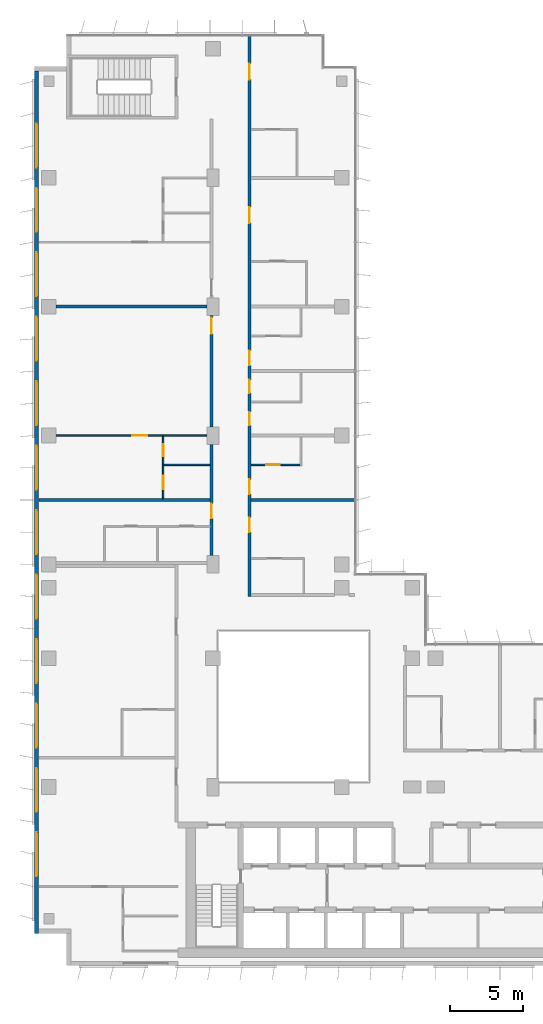
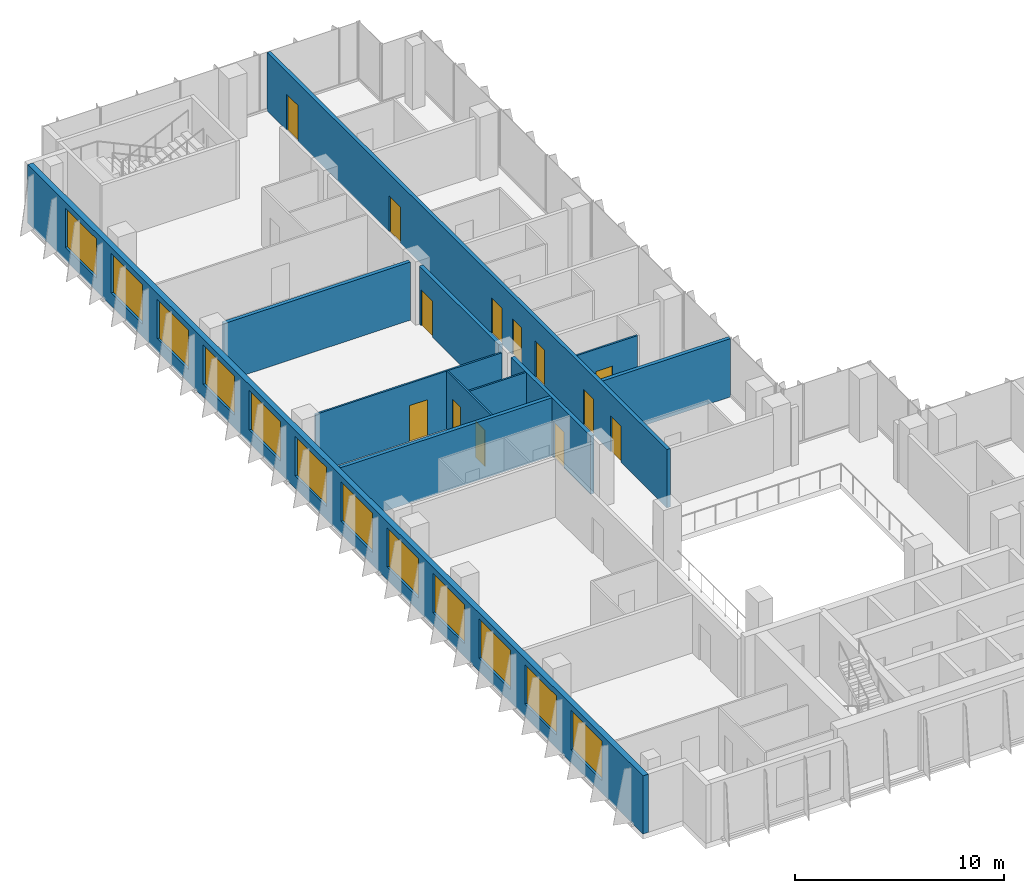
# One storey, part 16 of 21: 13 doors, 12 windows, 11 walls, 25 openings.
"""IFC4 building model written with IfcOpenShell, lengths in metres."""

from ifc_helpers import new_model, si_unit, direction, frame, frame_2d, origin, place, context, subcontext, project, spatial, rectangle, extrude, material, layer, layer_set, type_object, element, fill, save


model = new_model("IFC4")

# Units and contexts
model_context = context("Model", 3, precision=1e-05, world=origin(), true_north=direction((0.0, 1.0)))
body_context = subcontext(model_context, "Body", "Model", "MODEL_VIEW")
ifc_project = project(units=[si_unit("LENGTHUNIT", "METRE"), si_unit("AREAUNIT", "SQUARE_METRE"), si_unit("VOLUMEUNIT", "CUBIC_METRE"), si_unit("PLANEANGLEUNIT", "RADIAN"), si_unit("MASSUNIT", "GRAM", prefix="KILO")], contexts=[model_context])

# Site, building, storey
site_placement = place(None, origin())
site = spatial("IfcSite", under=ifc_project, at=site_placement, CompositionType="ELEMENT")
building_placement = place(site_placement, origin())
building = spatial("IfcBuilding", under=site, at=building_placement, Name="Kemantara Hotel Tower", CompositionType="ELEMENT")
storey_placement = place(building_placement, frame((0.0, 0.0, 167.89990234375)))
storey = spatial("IfcBuildingStorey", under=building, at=storey_placement, Name="L41", CompositionType="ELEMENT", Elevation=167.89990234375)

# Wall, openings, windows
ifc_material_1 = material(Name="Bronze anodised aluminium cladding on insulated steel stud wall", Category="steel")
ifc_layer_1 = layer(ifc_material_1, 0.300048828125)
ifc_layer_set_1 = layer_set([ifc_layer_1], Name="Bronze anodised aluminium cladding on insulated steel stud wall")
wall_type_1 = type_object("IfcWallType", Name="BRONZE METAL-CLAD EXTERNAL WALL 300", PredefinedType="STANDARD", material=ifc_layer_set_1)
wall_1_placement = place(storey_placement, frame((0.14990234375, 61.10009765625, 0.0), z_axis=(0.0, 0.0, 1.0), x_axis=(0.0, -1.0, 0.0)))
wall_1 = element("IfcWall", 1, at=wall_1_placement, inside=storey, type_object=wall_type_1, Name="EXTERNAL WALL L41 T3-R05", PredefinedType="STANDARD", context=body_context, shape_type="SweptSolid", body=[
    extrude(rectangle(XDim=58.900146484375, YDim=0.300048828125, at=frame_2d((29.4501953125, 0.0))), origin(), (0.0, 0.0, 1.0), 3.400146484375),
])
opening_1_placement = place(wall_1_placement, frame((3.60009765625, 0.0, 0.75)))
opening_1 = element("IfcOpeningElement", 2, at=opening_1_placement, cuts=wall_1, Name="Opening W1", PredefinedType="OPENING", context=body_context, shape_type="SweptSolid", body=[
    extrude(rectangle(XDim=3.0, YDim=2.300048828125, at=frame_2d((1.5, 1.14990234375))), frame((0.0, 0.159912109375, 0.0), z_axis=(0.0, -1.0, 0.0), x_axis=(1.0, 0.0, 0.0)), (0.0, 0.0, 1.0), 0.320068359375),
])
opening_2_placement = place(wall_1_placement, frame((8.0, 0.0, 0.75)))
opening_2 = element("IfcOpeningElement", 3, at=opening_2_placement, cuts=wall_1, Name="Opening W1", PredefinedType="OPENING", context=body_context, shape_type="SweptSolid", body=[
    extrude(rectangle(XDim=3.0, YDim=2.300048828125, at=frame_2d((1.5, 1.14990234375))), frame((0.0, 0.159912109375, 0.0), z_axis=(0.0, -1.0, 0.0), x_axis=(1.0, 0.0, 0.0)), (0.0, 0.0, 1.0), 0.320068359375),
])
opening_3_placement = place(wall_1_placement, frame((12.39990234375, 0.0, 0.75)))
opening_3 = element("IfcOpeningElement", 4, at=opening_3_placement, cuts=wall_1, Name="Opening W1", PredefinedType="OPENING", context=body_context, shape_type="SweptSolid", body=[
    extrude(rectangle(XDim=3.0, YDim=2.300048828125, at=frame_2d((1.5, 1.14990234375))), frame((0.0, 0.159912109375, 0.0), z_axis=(0.0, -1.0, 0.0), x_axis=(1.0, 0.0, 0.0)), (0.0, 0.0, 1.0), 0.320068359375),
])
opening_4_placement = place(wall_1_placement, frame((16.800048828125, 0.0, 0.75)))
opening_4 = element("IfcOpeningElement", 5, at=opening_4_placement, cuts=wall_1, Name="Opening W1", PredefinedType="OPENING", context=body_context, shape_type="SweptSolid", body=[
    extrude(rectangle(XDim=3.0, YDim=2.300048828125, at=frame_2d((1.5, 1.14990234375))), frame((0.0, 0.159912109375, 0.0), z_axis=(0.0, -1.0, 0.0), x_axis=(1.0, 0.0, 0.0)), (0.0, 0.0, 1.0), 0.320068359375),
])
opening_5_placement = place(wall_1_placement, frame((21.199951171875, 0.0, 0.75)))
opening_5 = element("IfcOpeningElement", 6, at=opening_5_placement, cuts=wall_1, Name="Opening W1", PredefinedType="OPENING", context=body_context, shape_type="SweptSolid", body=[
    extrude(rectangle(XDim=3.0, YDim=2.300048828125, at=frame_2d((1.5, 1.14990234375))), frame((0.0, 0.159912109375, 0.0), z_axis=(0.0, -1.0, 0.0), x_axis=(1.0, 0.0, 0.0)), (0.0, 0.0, 1.0), 0.320068359375),
])
opening_6_placement = place(wall_1_placement, frame((25.60009765625, 0.0, 0.75)))
opening_6 = element("IfcOpeningElement", 7, at=opening_6_placement, cuts=wall_1, Name="Opening W1", PredefinedType="OPENING", context=body_context, shape_type="SweptSolid", body=[
    extrude(rectangle(XDim=3.0, YDim=2.300048828125, at=frame_2d((1.5, 1.14990234375))), frame((0.0, 0.159912109375, 0.0), z_axis=(0.0, -1.0, 0.0), x_axis=(1.0, 0.0, 0.0)), (0.0, 0.0, 1.0), 0.320068359375),
])
opening_7_placement = place(wall_1_placement, frame((30.0, 0.0, 0.75)))
opening_7 = element("IfcOpeningElement", 8, at=opening_7_placement, cuts=wall_1, Name="Opening W1", PredefinedType="OPENING", context=body_context, shape_type="SweptSolid", body=[
    extrude(rectangle(XDim=3.0, YDim=2.300048828125, at=frame_2d((1.5, 1.14990234375))), frame((0.0, 0.159912109375, 0.0), z_axis=(0.0, -1.0, 0.0), x_axis=(1.0, 0.0, 0.0)), (0.0, 0.0, 1.0), 0.320068359375),
])
opening_8_placement = place(wall_1_placement, frame((34.39990234375, 0.0, 0.75)))
opening_8 = element("IfcOpeningElement", 9, at=opening_8_placement, cuts=wall_1, Name="Opening W1", PredefinedType="OPENING", context=body_context, shape_type="SweptSolid", body=[
    extrude(rectangle(XDim=3.0, YDim=2.300048828125, at=frame_2d((1.5, 1.14990234375))), frame((0.0, 0.159912109375, 0.0), z_axis=(0.0, -1.0, 0.0), x_axis=(1.0, 0.0, 0.0)), (0.0, 0.0, 1.0), 0.320068359375),
])
opening_9_placement = place(wall_1_placement, frame((38.800048828125, 0.0, 0.75)))
opening_9 = element("IfcOpeningElement", 10, at=opening_9_placement, cuts=wall_1, Name="Opening W1", PredefinedType="OPENING", context=body_context, shape_type="SweptSolid", body=[
    extrude(rectangle(XDim=3.0, YDim=2.300048828125, at=frame_2d((1.5, 1.14990234375))), frame((0.0, 0.159912109375, 0.0), z_axis=(0.0, -1.0, 0.0), x_axis=(1.0, 0.0, 0.0)), (0.0, 0.0, 1.0), 0.320068359375),
])
opening_10_placement = place(wall_1_placement, frame((43.199951171875, 0.0, 0.75)))
opening_10 = element("IfcOpeningElement", 11, at=opening_10_placement, cuts=wall_1, Name="Opening W1", PredefinedType="OPENING", context=body_context, shape_type="SweptSolid", body=[
    extrude(rectangle(XDim=3.0, YDim=2.300048828125, at=frame_2d((1.5, 1.14990234375))), frame((0.0, 0.159912109375, 0.0), z_axis=(0.0, -1.0, 0.0), x_axis=(1.0, 0.0, 0.0)), (0.0, 0.0, 1.0), 0.320068359375),
])
opening_11_placement = place(wall_1_placement, frame((47.60009765625, 0.0, 0.75)))
opening_11 = element("IfcOpeningElement", 12, at=opening_11_placement, cuts=wall_1, Name="Opening W1", PredefinedType="OPENING", context=body_context, shape_type="SweptSolid", body=[
    extrude(rectangle(XDim=3.0, YDim=2.300048828125, at=frame_2d((1.5, 1.14990234375))), frame((0.0, 0.159912109375, 0.0), z_axis=(0.0, -1.0, 0.0), x_axis=(1.0, 0.0, 0.0)), (0.0, 0.0, 1.0), 0.320068359375),
])
opening_12_placement = place(wall_1_placement, frame((52.0, 0.0, 0.75)))
opening_12 = element("IfcOpeningElement", 13, at=opening_12_placement, cuts=wall_1, Name="Opening W1", PredefinedType="OPENING", context=body_context, shape_type="SweptSolid", body=[
    extrude(rectangle(XDim=3.0, YDim=2.300048828125, at=frame_2d((1.5, 1.14990234375))), frame((0.0, 0.159912109375, 0.0), z_axis=(0.0, -1.0, 0.0), x_axis=(1.0, 0.0, 0.0)), (0.0, 0.0, 1.0), 0.320068359375),
])
ifc_material_2 = material(Name="Low-E tinted double insulated glass in bronze anodised aluminium frame", Category="aluminium")
window_type = type_object("IfcWindowType", Name="CHICAGO WINDOW, TRIPLE PANEL 3000x2300", PartitioningType="TRIPLE_PANEL_VERTICAL", PredefinedType="WINDOW", material=ifc_material_2)
window_1_placement = place(opening_1_placement, origin())
window_1 = element("IfcWindow", 14, at=window_1_placement, inside=storey, type_object=window_type, Name="CHICAGO WINDOW L41 T3-R05-54", OverallHeight=2.300048828125, OverallWidth=3.0, PartitioningType="SINGLE_PANEL", PredefinedType="WINDOW", context=body_context, shape_type="SweptSolid", body=[
    extrude(rectangle(XDim=3.0, YDim=2.300048828125, at=frame_2d((1.5, 1.14990234375))), frame((0.0, 0.030029296875, 0.0), z_axis=(0.0, -1.0, 0.0), x_axis=(1.0, 0.0, 0.0)), (0.0, 0.0, 1.0), 0.06005859375),
])
fill(opening_1, window_1)
window_2_placement = place(opening_2_placement, origin())
window_2 = element("IfcWindow", 15, at=window_2_placement, inside=storey, type_object=window_type, Name="CHICAGO WINDOW L41 T3-R05-98", OverallHeight=2.300048828125, OverallWidth=3.0, PartitioningType="SINGLE_PANEL", PredefinedType="WINDOW", context=body_context, shape_type="SweptSolid", body=[
    extrude(rectangle(XDim=3.0, YDim=2.300048828125, at=frame_2d((1.5, 1.14990234375))), frame((0.0, 0.030029296875, 0.0), z_axis=(0.0, -1.0, 0.0), x_axis=(1.0, 0.0, 0.0)), (0.0, 0.0, 1.0), 0.06005859375),
])
fill(opening_2, window_2)
window_3_placement = place(opening_3_placement, origin())
window_3 = element("IfcWindow", 16, at=window_3_placement, inside=storey, type_object=window_type, Name="CHICAGO WINDOW L41 T3-R05-142", OverallHeight=2.300048828125, OverallWidth=3.0, PartitioningType="SINGLE_PANEL", PredefinedType="WINDOW", context=body_context, shape_type="SweptSolid", body=[
    extrude(rectangle(XDim=3.0, YDim=2.300048828125, at=frame_2d((1.5, 1.14990234375))), frame((0.0, 0.030029296875, 0.0), z_axis=(0.0, -1.0, 0.0), x_axis=(1.0, 0.0, 0.0)), (0.0, 0.0, 1.0), 0.06005859375),
])
fill(opening_3, window_3)
window_4_placement = place(opening_4_placement, origin())
window_4 = element("IfcWindow", 17, at=window_4_placement, inside=storey, type_object=window_type, Name="CHICAGO WINDOW L41 T3-R05-186", OverallHeight=2.300048828125, OverallWidth=3.0, PartitioningType="SINGLE_PANEL", PredefinedType="WINDOW", context=body_context, shape_type="SweptSolid", body=[
    extrude(rectangle(XDim=3.0, YDim=2.300048828125, at=frame_2d((1.5, 1.14990234375))), frame((0.0, 0.030029296875, 0.0), z_axis=(0.0, -1.0, 0.0), x_axis=(1.0, 0.0, 0.0)), (0.0, 0.0, 1.0), 0.06005859375),
])
fill(opening_4, window_4)
window_5_placement = place(opening_5_placement, origin())
window_5 = element("IfcWindow", 18, at=window_5_placement, inside=storey, type_object=window_type, Name="CHICAGO WINDOW L41 T3-R05-230", OverallHeight=2.300048828125, OverallWidth=3.0, PartitioningType="SINGLE_PANEL", PredefinedType="WINDOW", context=body_context, shape_type="SweptSolid", body=[
    extrude(rectangle(XDim=3.0, YDim=2.300048828125, at=frame_2d((1.5, 1.14990234375))), frame((0.0, 0.030029296875, 0.0), z_axis=(0.0, -1.0, 0.0), x_axis=(1.0, 0.0, 0.0)), (0.0, 0.0, 1.0), 0.06005859375),
])
fill(opening_5, window_5)
window_6_placement = place(opening_6_placement, origin())
window_6 = element("IfcWindow", 19, at=window_6_placement, inside=storey, type_object=window_type, Name="CHICAGO WINDOW L41 T3-R05-274", OverallHeight=2.300048828125, OverallWidth=3.0, PartitioningType="SINGLE_PANEL", PredefinedType="WINDOW", context=body_context, shape_type="SweptSolid", body=[
    extrude(rectangle(XDim=3.0, YDim=2.300048828125, at=frame_2d((1.5, 1.14990234375))), frame((0.0, 0.030029296875, 0.0), z_axis=(0.0, -1.0, 0.0), x_axis=(1.0, 0.0, 0.0)), (0.0, 0.0, 1.0), 0.06005859375),
])
fill(opening_6, window_6)
window_7_placement = place(opening_7_placement, origin())
window_7 = element("IfcWindow", 20, at=window_7_placement, inside=storey, type_object=window_type, Name="CHICAGO WINDOW L41 T3-R05-318", OverallHeight=2.300048828125, OverallWidth=3.0, PartitioningType="SINGLE_PANEL", PredefinedType="WINDOW", context=body_context, shape_type="SweptSolid", body=[
    extrude(rectangle(XDim=3.0, YDim=2.300048828125, at=frame_2d((1.5, 1.14990234375))), frame((0.0, 0.030029296875, 0.0), z_axis=(0.0, -1.0, 0.0), x_axis=(1.0, 0.0, 0.0)), (0.0, 0.0, 1.0), 0.06005859375),
])
fill(opening_7, window_7)
window_8_placement = place(opening_8_placement, origin())
window_8 = element("IfcWindow", 21, at=window_8_placement, inside=storey, type_object=window_type, Name="CHICAGO WINDOW L41 T3-R05-362", OverallHeight=2.300048828125, OverallWidth=3.0, PartitioningType="SINGLE_PANEL", PredefinedType="WINDOW", context=body_context, shape_type="SweptSolid", body=[
    extrude(rectangle(XDim=3.0, YDim=2.300048828125, at=frame_2d((1.5, 1.14990234375))), frame((0.0, 0.030029296875, 0.0), z_axis=(0.0, -1.0, 0.0), x_axis=(1.0, 0.0, 0.0)), (0.0, 0.0, 1.0), 0.06005859375),
])
fill(opening_8, window_8)
window_9_placement = place(opening_9_placement, origin())
window_9 = element("IfcWindow", 22, at=window_9_placement, inside=storey, type_object=window_type, Name="CHICAGO WINDOW L41 T3-R05-406", OverallHeight=2.300048828125, OverallWidth=3.0, PartitioningType="SINGLE_PANEL", PredefinedType="WINDOW", context=body_context, shape_type="SweptSolid", body=[
    extrude(rectangle(XDim=3.0, YDim=2.300048828125, at=frame_2d((1.5, 1.14990234375))), frame((0.0, 0.030029296875, 0.0), z_axis=(0.0, -1.0, 0.0), x_axis=(1.0, 0.0, 0.0)), (0.0, 0.0, 1.0), 0.06005859375),
])
fill(opening_9, window_9)
window_10_placement = place(opening_10_placement, origin())
window_10 = element("IfcWindow", 23, at=window_10_placement, inside=storey, type_object=window_type, Name="CHICAGO WINDOW L41 T3-R05-450", OverallHeight=2.300048828125, OverallWidth=3.0, PartitioningType="SINGLE_PANEL", PredefinedType="WINDOW", context=body_context, shape_type="SweptSolid", body=[
    extrude(rectangle(XDim=3.0, YDim=2.300048828125, at=frame_2d((1.5, 1.14990234375))), frame((0.0, 0.030029296875, 0.0), z_axis=(0.0, -1.0, 0.0), x_axis=(1.0, 0.0, 0.0)), (0.0, 0.0, 1.0), 0.06005859375),
])
fill(opening_10, window_10)
window_11_placement = place(opening_11_placement, origin())
window_11 = element("IfcWindow", 24, at=window_11_placement, inside=storey, type_object=window_type, Name="CHICAGO WINDOW L41 T3-R05-494", OverallHeight=2.300048828125, OverallWidth=3.0, PartitioningType="SINGLE_PANEL", PredefinedType="WINDOW", context=body_context, shape_type="SweptSolid", body=[
    extrude(rectangle(XDim=3.0, YDim=2.300048828125, at=frame_2d((1.5, 1.14990234375))), frame((0.0, 0.030029296875, 0.0), z_axis=(0.0, -1.0, 0.0), x_axis=(1.0, 0.0, 0.0)), (0.0, 0.0, 1.0), 0.06005859375),
])
fill(opening_11, window_11)
window_12_placement = place(opening_12_placement, origin())
window_12 = element("IfcWindow", 25, at=window_12_placement, inside=storey, type_object=window_type, Name="CHICAGO WINDOW L41 T3-R05-538", OverallHeight=2.300048828125, OverallWidth=3.0, PartitioningType="SINGLE_PANEL", PredefinedType="WINDOW", context=body_context, shape_type="SweptSolid", body=[
    extrude(rectangle(XDim=3.0, YDim=2.300048828125, at=frame_2d((1.5, 1.14990234375))), frame((0.0, 0.030029296875, 0.0), z_axis=(0.0, -1.0, 0.0), x_axis=(1.0, 0.0, 0.0)), (0.0, 0.0, 1.0), 0.06005859375),
])
fill(opening_12, window_12)

# Wall, opening, door
ifc_material_3 = material(Name="Gypsum board partition, steel studs and mineral wool, 200 mm", Category="steel")
ifc_layer_2 = layer(ifc_material_3, 0.199951171875)
ifc_layer_set_2 = layer_set([ifc_layer_2], Name="Gypsum board partition, steel studs and mineral wool, 200 mm")
wall_type_2 = type_object("IfcWallType", Name="CORRIDOR WALL 200", PredefinedType="PARTITIONING", material=ifc_layer_set_2)
wall_2_placement = place(storey_placement, frame((12.10009765625, 28.0, 0.0), z_axis=(0.0, 0.0, 1.0), x_axis=(0.0, 1.0, 0.0)))
wall_2 = element("IfcWall", 26, at=wall_2_placement, inside=storey, type_object=wall_type_2, Name="CORRIDOR WALL 200 016", PredefinedType="PARTITIONING", context=body_context, shape_type="SweptSolid", body=[
    extrude(rectangle(XDim=7.599853515625, YDim=0.199951171875, at=frame_2d((3.7998046875, 0.0))), origin(), (0.0, 0.0, 1.0), 3.400146484375),
])
opening_13_placement = place(wall_2_placement, frame((2.5498046875, 0.0, 0.0)))
opening_13 = element("IfcOpeningElement", 27, at=opening_13_placement, cuts=wall_2, Name="Opening F19-023", PredefinedType="OPENING", context=body_context, shape_type="SweptSolid", body=[
    extrude(rectangle(XDim=1.0, YDim=2.10009765625, at=frame_2d((0.5, 1.050048828125))), frame((0.0, 0.10986328125, 0.0), z_axis=(0.0, -1.0, 0.0), x_axis=(1.0, 0.0, 0.0)), (0.0, 0.0, 1.0), 0.219970703125),
])
ifc_material_4 = material(Name="Hardwood veneer door leaf with steel frame", Category="steel")
door_type_1 = type_object("IfcDoorType", Name="GUEST ROOM DOOR 1000 X 2100 FD30S", OperationType="NOTDEFINED", PredefinedType="DOOR", material=ifc_material_4)
door_1_placement = place(opening_13_placement, origin())
door_1 = element("IfcDoor", 28, at=door_1_placement, inside=storey, type_object=door_type_1, Name="GUEST ROOM DOOR F19-023", OperationType="SINGLE_SWING_RIGHT", OverallHeight=2.10009765625, OverallWidth=1.0, PredefinedType="DOOR", context=body_context, shape_type="SweptSolid", body=[
    extrude(rectangle(XDim=1.0, YDim=2.10009765625, at=frame_2d((0.5, 1.050048828125))), frame((0.0, 0.02490234375, 0.0), z_axis=(0.0, -1.0, 0.0), x_axis=(1.0, 0.0, 0.0)), (0.0, 0.0, 1.0), 0.050048828125),
])
fill(opening_13, door_1)

wall_3_placement = place(storey_placement, frame((12.10009765625, 36.800048828125, 0.0), z_axis=(0.0, 0.0, 1.0), x_axis=(0.0, 1.0, 0.0)))
wall_3 = element("IfcWall", 29, at=wall_3_placement, inside=storey, type_object=wall_type_2, Name="CORRIDOR WALL 200 017", PredefinedType="PARTITIONING", context=body_context, shape_type="SweptSolid", body=[
    extrude(rectangle(XDim=7.599853515625, YDim=0.199951171875, at=frame_2d((3.7998046875, 0.0))), origin(), (0.0, 0.0, 1.0), 3.400146484375),
])
opening_14_placement = place(wall_3_placement, frame((6.349853515625, 0.0, 0.0)))
opening_14 = element("IfcOpeningElement", 30, at=opening_14_placement, cuts=wall_3, Name="Opening F19-026", PredefinedType="OPENING", context=body_context, shape_type="SweptSolid", body=[
    extrude(rectangle(XDim=1.10009765625, YDim=2.10009765625, at=frame_2d((0.550048828125, 1.050048828125))), frame((0.0, 0.10986328125, 0.0), z_axis=(0.0, -1.0, 0.0), x_axis=(1.0, 0.0, 0.0)), (0.0, 0.0, 1.0), 0.219970703125),
])
door_type_2 = type_object("IfcDoorType", Name="SUITE ENTRANCE DOOR 1100 X 2100 FD30S", OperationType="NOTDEFINED", PredefinedType="DOOR", material=ifc_material_4)
door_2_placement = place(opening_14_placement, origin())
door_2 = element("IfcDoor", 31, at=door_2_placement, inside=storey, type_object=door_type_2, Name="SUITE ENTRANCE DOOR F19-026", OperationType="SINGLE_SWING_RIGHT", OverallHeight=2.10009765625, OverallWidth=1.10009765625, PredefinedType="DOOR", context=body_context, shape_type="SweptSolid", body=[
    extrude(rectangle(XDim=1.10009765625, YDim=2.10009765625, at=frame_2d((0.550048828125, 1.050048828125))), frame((0.0, 0.02490234375, 0.0), z_axis=(0.0, -1.0, 0.0), x_axis=(1.0, 0.0, 0.0)), (0.0, 0.0, 1.0), 0.050048828125),
])
fill(opening_14, door_2)

# Wall, openings, doors
wall_4_placement = place(storey_placement, frame((14.699951171875, 63.47998046875, 0.0), z_axis=(0.0, 0.0, 1.0), x_axis=(0.0, -1.0, 0.0)))
wall_4 = element("IfcWall", 32, at=wall_4_placement, inside=storey, type_object=wall_type_2, Name="CORRIDOR WALL 200 025", PredefinedType="PARTITIONING", context=body_context, shape_type="SweptSolid", body=[
    extrude(rectangle(XDim=38.280029296875, YDim=0.199951171875, at=frame_2d((19.14013671875, 0.0))), origin(), (0.0, 0.0, 1.0), 3.400146484375),
])
opening_15_placement = place(wall_4_placement, frame((32.8798828125, 0.0, 0.0)))
opening_15 = element("IfcOpeningElement", 33, at=opening_15_placement, cuts=wall_4, Name="Opening F19-034", PredefinedType="OPENING", context=body_context, shape_type="SweptSolid", body=[
    extrude(rectangle(XDim=1.0, YDim=2.10009765625, at=frame_2d((0.5, 1.050048828125))), frame((0.0, 0.10986328125, 0.0), z_axis=(0.0, -1.0, 0.0), x_axis=(1.0, 0.0, 0.0)), (0.0, 0.0, 1.0), 0.219970703125),
])
opening_16_placement = place(wall_4_placement, frame((30.27978515625, 0.0, 0.0)))
opening_16 = element("IfcOpeningElement", 34, at=opening_16_placement, cuts=wall_4, Name="Opening F19-036", PredefinedType="OPENING", context=body_context, shape_type="SweptSolid", body=[
    extrude(rectangle(XDim=1.0, YDim=2.10009765625, at=frame_2d((0.5, 1.050048828125))), frame((0.0, 0.10986328125, 0.0), z_axis=(0.0, -1.0, 0.0), x_axis=(1.0, 0.0, 0.0)), (0.0, 0.0, 1.0), 0.219970703125),
])
opening_17_placement = place(wall_4_placement, frame((25.679931640625, 0.0, 0.0)))
opening_17 = element("IfcOpeningElement", 35, at=opening_17_placement, cuts=wall_4, Name="Opening F19-038", PredefinedType="OPENING", context=body_context, shape_type="SweptSolid", body=[
    extrude(rectangle(XDim=0.89990234375, YDim=2.10009765625, at=frame_2d((0.449951171875, 1.050048828125))), frame((0.0, 0.10986328125, 0.0), z_axis=(0.0, -1.0, 0.0), x_axis=(1.0, 0.0, 0.0)), (0.0, 0.0, 1.0), 0.219970703125),
])
opening_18_placement = place(wall_4_placement, frame((23.47998046875, 0.0, 0.0)))
opening_18 = element("IfcOpeningElement", 36, at=opening_18_placement, cuts=wall_4, Name="Opening F19-039", PredefinedType="OPENING", context=body_context, shape_type="SweptSolid", body=[
    extrude(rectangle(XDim=0.89990234375, YDim=2.10009765625, at=frame_2d((0.449951171875, 1.050048828125))), frame((0.0, 0.10986328125, 0.0), z_axis=(0.0, -1.0, 0.0), x_axis=(1.0, 0.0, 0.0)), (0.0, 0.0, 1.0), 0.219970703125),
])
opening_19_placement = place(wall_4_placement, frame((21.47998046875, 0.0, 0.0)))
opening_19 = element("IfcOpeningElement", 37, at=opening_19_placement, cuts=wall_4, Name="Opening F19-040", PredefinedType="OPENING", context=body_context, shape_type="SweptSolid", body=[
    extrude(rectangle(XDim=1.0, YDim=2.10009765625, at=frame_2d((0.5, 1.050048828125))), frame((0.0, 0.10986328125, 0.0), z_axis=(0.0, -1.0, 0.0), x_axis=(1.0, 0.0, 0.0)), (0.0, 0.0, 1.0), 0.219970703125),
])
opening_20_placement = place(wall_4_placement, frame((11.679931640625, 0.0, 0.0)))
opening_20 = element("IfcOpeningElement", 38, at=opening_20_placement, cuts=wall_4, Name="Opening F19-042", PredefinedType="OPENING", context=body_context, shape_type="SweptSolid", body=[
    extrude(rectangle(XDim=1.10009765625, YDim=2.10009765625, at=frame_2d((0.550048828125, 1.050048828125))), frame((0.0, 0.10986328125, 0.0), z_axis=(0.0, -1.0, 0.0), x_axis=(1.0, 0.0, 0.0)), (0.0, 0.0, 1.0), 0.219970703125),
])
opening_21_placement = place(wall_4_placement, frame((1.8798828125, 0.0, 0.0)))
opening_21 = element("IfcOpeningElement", 39, at=opening_21_placement, cuts=wall_4, Name="Opening F19-044", PredefinedType="OPENING", context=body_context, shape_type="SweptSolid", body=[
    extrude(rectangle(XDim=1.10009765625, YDim=2.10009765625, at=frame_2d((0.550048828125, 1.050048828125))), frame((0.0, 0.10986328125, 0.0), z_axis=(0.0, -1.0, 0.0), x_axis=(1.0, 0.0, 0.0)), (0.0, 0.0, 1.0), 0.219970703125),
])
door_3_placement = place(opening_15_placement, origin())
door_3 = element("IfcDoor", 40, at=door_3_placement, inside=storey, type_object=door_type_1, Name="GUEST ROOM DOOR F19-034", OperationType="SINGLE_SWING_LEFT", OverallHeight=2.10009765625, OverallWidth=1.0, PredefinedType="DOOR", context=body_context, shape_type="SweptSolid", body=[
    extrude(rectangle(XDim=1.0, YDim=2.10009765625, at=frame_2d((0.5, 1.050048828125))), frame((0.0, 0.02490234375, 0.0), z_axis=(0.0, -1.0, 0.0), x_axis=(1.0, 0.0, 0.0)), (0.0, 0.0, 1.0), 0.050048828125),
])
fill(opening_15, door_3)
door_4_placement = place(opening_16_placement, origin())
door_4 = element("IfcDoor", 41, at=door_4_placement, inside=storey, type_object=door_type_1, Name="GUEST ROOM DOOR F19-036", OperationType="SINGLE_SWING_RIGHT", OverallHeight=2.10009765625, OverallWidth=1.0, PredefinedType="DOOR", context=body_context, shape_type="SweptSolid", body=[
    extrude(rectangle(XDim=1.0, YDim=2.10009765625, at=frame_2d((0.5, 1.050048828125))), frame((0.0, 0.02490234375, 0.0), z_axis=(0.0, -1.0, 0.0), x_axis=(1.0, 0.0, 0.0)), (0.0, 0.0, 1.0), 0.050048828125),
])
fill(opening_16, door_4)
door_5_placement = place(opening_19_placement, origin())
door_5 = element("IfcDoor", 42, at=door_5_placement, inside=storey, type_object=door_type_1, Name="GUEST ROOM DOOR F19-040", OperationType="SINGLE_SWING_RIGHT", OverallHeight=2.10009765625, OverallWidth=1.0, PredefinedType="DOOR", context=body_context, shape_type="SweptSolid", body=[
    extrude(rectangle(XDim=1.0, YDim=2.10009765625, at=frame_2d((0.5, 1.050048828125))), frame((0.0, 0.02490234375, 0.0), z_axis=(0.0, -1.0, 0.0), x_axis=(1.0, 0.0, 0.0)), (0.0, 0.0, 1.0), 0.050048828125),
])
fill(opening_19, door_5)
door_type_3 = type_object("IfcDoorType", Name="GUEST ROOM DOOR 1100 X 2100 FD30S", OperationType="NOTDEFINED", PredefinedType="DOOR", material=ifc_material_4)
door_6_placement = place(opening_20_placement, origin())
door_6 = element("IfcDoor", 43, at=door_6_placement, inside=storey, type_object=door_type_3, Name="GUEST ROOM DOOR F19-042", OperationType="SINGLE_SWING_LEFT", OverallHeight=2.10009765625, OverallWidth=1.10009765625, PredefinedType="DOOR", context=body_context, shape_type="SweptSolid", body=[
    extrude(rectangle(XDim=1.10009765625, YDim=2.10009765625, at=frame_2d((0.550048828125, 1.050048828125))), frame((0.0, 0.02490234375, 0.0), z_axis=(0.0, -1.0, 0.0), x_axis=(1.0, 0.0, 0.0)), (0.0, 0.0, 1.0), 0.050048828125),
])
fill(opening_20, door_6)
ifc_material_5 = material(Name="Steel door leaf with steel frame", Category="steel")
door_type_4 = type_object("IfcDoorType", Name="SERVICE ROOM DOOR 900 X 2100 FD60", OperationType="NOTDEFINED", PredefinedType="DOOR", material=ifc_material_5)
door_7_placement = place(opening_17_placement, origin())
door_7 = element("IfcDoor", 44, at=door_7_placement, inside=storey, type_object=door_type_4, Name="SERVICE ROOM DOOR F19-038", OperationType="SINGLE_SWING_RIGHT", OverallHeight=2.10009765625, OverallWidth=0.89990234375, PredefinedType="DOOR", context=body_context, shape_type="SweptSolid", body=[
    extrude(rectangle(XDim=0.89990234375, YDim=2.10009765625, at=frame_2d((0.449951171875, 1.050048828125))), frame((0.0, 0.02490234375, 0.0), z_axis=(0.0, -1.0, 0.0), x_axis=(1.0, 0.0, 0.0)), (0.0, 0.0, 1.0), 0.050048828125),
])
fill(opening_17, door_7)
door_8_placement = place(opening_18_placement, origin())
door_8 = element("IfcDoor", 45, at=door_8_placement, inside=storey, type_object=door_type_4, Name="SERVICE ROOM DOOR F19-039", OperationType="SINGLE_SWING_LEFT", OverallHeight=2.10009765625, OverallWidth=0.89990234375, PredefinedType="DOOR", context=body_context, shape_type="SweptSolid", body=[
    extrude(rectangle(XDim=0.89990234375, YDim=2.10009765625, at=frame_2d((0.449951171875, 1.050048828125))), frame((0.0, 0.02490234375, 0.0), z_axis=(0.0, -1.0, 0.0), x_axis=(1.0, 0.0, 0.0)), (0.0, 0.0, 1.0), 0.050048828125),
])
fill(opening_18, door_8)
door_9_placement = place(opening_21_placement, origin())
door_9 = element("IfcDoor", 46, at=door_9_placement, inside=storey, type_object=door_type_2, Name="SUITE ENTRANCE DOOR F19-044", OperationType="SINGLE_SWING_LEFT", OverallHeight=2.10009765625, OverallWidth=1.10009765625, PredefinedType="DOOR", context=body_context, shape_type="SweptSolid", body=[
    extrude(rectangle(XDim=1.10009765625, YDim=2.10009765625, at=frame_2d((0.550048828125, 1.050048828125))), frame((0.0, 0.02490234375, 0.0), z_axis=(0.0, -1.0, 0.0), x_axis=(1.0, 0.0, 0.0)), (0.0, 0.0, 1.0), 0.050048828125),
])
fill(opening_21, door_9)

# Walls
ifc_layer_3 = layer(ifc_material_3, 0.199951171875)
ifc_layer_set_3 = layer_set([ifc_layer_3], Name="Gypsum board partition, steel studs and mineral wool, 200 mm")
wall_type_3 = type_object("IfcWallType", Name="GUEST ROOM PARTY WALL 200", PredefinedType="PARTITIONING", material=ifc_layer_set_3)
wall_5_placement = place(storey_placement, frame((0.31005859375, 31.800048828125, 0.0), z_axis=(0.0, 0.0, 1.0), x_axis=(1.0, 0.0, 0.0)))
element("IfcWall", 47, at=wall_5_placement, inside=storey, type_object=wall_type_3, Name="GUEST ROOM PARTY WALL 200 021", PredefinedType="PARTITIONING", context=body_context, shape_type="SweptSolid", body=[
    extrude(rectangle(XDim=11.68994140625, YDim=0.199951171875, at=frame_2d((5.844970703125, 0.0))), origin(), (0.0, 0.0, 1.0), 3.400146484375),
])
wall_6_placement = place(storey_placement, frame((14.800048828125, 31.800048828125, 0.0), z_axis=(0.0, 0.0, 1.0), x_axis=(1.0, 0.0, 0.0)))
element("IfcWall", 48, at=wall_6_placement, inside=storey, type_object=wall_type_3, Name="GUEST ROOM PARTY WALL 200 022", PredefinedType="PARTITIONING", context=body_context, shape_type="SweptSolid", body=[
    extrude(rectangle(XDim=7.070068359375, YDim=0.199951171875, at=frame_2d((3.53515625, 0.0))), origin(), (0.0, 0.0, 1.0), 3.400146484375),
])
wall_7_placement = place(storey_placement, frame((1.5, 45.0, 0.0), z_axis=(0.0, 0.0, 1.0), x_axis=(1.0, 0.0, 0.0)))
element("IfcWall", 49, at=wall_7_placement, inside=storey, type_object=wall_type_3, Name="GUEST ROOM PARTY WALL 200 023", PredefinedType="PARTITIONING", context=body_context, shape_type="SweptSolid", body=[
    extrude(rectangle(XDim=10.2998046875, YDim=0.199951171875, at=frame_2d((5.14990234375, 0.0))), origin(), (0.0, 0.0, 1.0), 3.400146484375),
])

# Wall, openings, doors
ifc_material_6 = material(Name="Gypsum board partition on steel studs, 100 mm", Category="steel")
ifc_layer_4 = layer(ifc_material_6, 0.10009765625)
ifc_layer_set_4 = layer_set([ifc_layer_4], Name="Gypsum board partition on steel studs, 100 mm")
wall_type_4 = type_object("IfcWallType", Name="ROOM PARTITION 100", PredefinedType="PARTITIONING", material=ifc_layer_set_4)
wall_8_placement = place(storey_placement, frame((8.800048828125, 36.14990234375, 0.0), z_axis=(0.0, 0.0, 1.0), x_axis=(0.0, -1.0, 0.0)))
wall_8 = element("IfcWall", 50, at=wall_8_placement, inside=storey, type_object=wall_type_4, Name="ROOM PARTITION 100 058", PredefinedType="PARTITIONING", context=body_context, shape_type="SweptSolid", body=[
    extrude(rectangle(XDim=4.25, YDim=0.10009765625, at=frame_2d((2.125, 0.0))), origin(), (0.0, 0.0, 1.0), 3.400146484375),
])
opening_22_placement = place(wall_8_placement, frame((2.699951171875, 0.0, 0.0)))
opening_22 = element("IfcOpeningElement", 51, at=opening_22_placement, cuts=wall_8, Name="Opening F19-028", PredefinedType="OPENING", context=body_context, shape_type="SweptSolid", body=[
    extrude(rectangle(XDim=0.89990234375, YDim=2.10009765625, at=frame_2d((0.449951171875, 1.050048828125))), frame((0.0, 0.06005859375, 0.0), z_axis=(0.0, -1.0, 0.0), x_axis=(1.0, 0.0, 0.0)), (0.0, 0.0, 1.0), 0.1201171875),
])
opening_23_placement = place(wall_8_placement, frame((0.550048828125, 0.0, 0.0)))
opening_23 = element("IfcOpeningElement", 52, at=opening_23_placement, cuts=wall_8, Name="Opening F19-029", PredefinedType="OPENING", context=body_context, shape_type="SweptSolid", body=[
    extrude(rectangle(XDim=0.800048828125, YDim=2.10009765625, at=frame_2d((0.39990234375, 1.050048828125))), frame((0.0, 0.06005859375, 0.0), z_axis=(0.0, -1.0, 0.0), x_axis=(1.0, 0.0, 0.0)), (0.0, 0.0, 1.0), 0.1201171875),
])
door_type_5 = type_object("IfcDoorType", Name="BATHROOM DOOR 900 X 2100", OperationType="NOTDEFINED", PredefinedType="DOOR", material=ifc_material_4)
door_10_placement = place(opening_22_placement, origin())
door_10 = element("IfcDoor", 53, at=door_10_placement, inside=storey, type_object=door_type_5, Name="BATHROOM DOOR F19-028", OperationType="SINGLE_SWING_LEFT", OverallHeight=2.10009765625, OverallWidth=0.89990234375, PredefinedType="DOOR", context=body_context, shape_type="SweptSolid", body=[
    extrude(rectangle(XDim=0.89990234375, YDim=2.10009765625, at=frame_2d((0.449951171875, 1.050048828125))), frame((0.0, 0.02490234375, 0.0), z_axis=(0.0, -1.0, 0.0), x_axis=(1.0, 0.0, 0.0)), (0.0, 0.0, 1.0), 0.050048828125),
])
fill(opening_22, door_10)
door_type_6 = type_object("IfcDoorType", Name="WARDROBE DOOR 800 X 2100", OperationType="NOTDEFINED", PredefinedType="DOOR", material=ifc_material_4)
door_11_placement = place(opening_23_placement, origin())
door_11 = element("IfcDoor", 54, at=door_11_placement, inside=storey, type_object=door_type_6, Name="WARDROBE DOOR F19-029", OperationType="SINGLE_SWING_LEFT", OverallHeight=2.10009765625, OverallWidth=0.800048828125, PredefinedType="DOOR", context=body_context, shape_type="SweptSolid", body=[
    extrude(rectangle(XDim=0.800048828125, YDim=2.10009765625, at=frame_2d((0.39990234375, 1.050048828125))), frame((0.0, 0.02490234375, 0.0), z_axis=(0.0, -1.0, 0.0), x_axis=(1.0, 0.0, 0.0)), (0.0, 0.0, 1.0), 0.050048828125),
])
fill(opening_23, door_11)

# Wall, opening, door
wall_9_placement = place(storey_placement, frame((11.7998046875, 36.199951171875, 0.0), z_axis=(0.0, 0.0, 1.0), x_axis=(-1.0, 0.0, 0.0)))
wall_9 = element("IfcWall", 55, at=wall_9_placement, inside=storey, type_object=wall_type_4, Name="ROOM PARTITION 100 060", PredefinedType="PARTITIONING", context=body_context, shape_type="SweptSolid", body=[
    extrude(rectangle(XDim=10.2998046875, YDim=0.10009765625, at=frame_2d((5.14990234375, 0.0))), origin(), (0.0, 0.0, 1.0), 3.400146484375),
])
opening_24_placement = place(wall_9_placement, frame((4.099853515625, 0.0, 0.0)))
opening_24 = element("IfcOpeningElement", 56, at=opening_24_placement, cuts=wall_9, Name="Opening F19-027", PredefinedType="OPENING", context=body_context, shape_type="SweptSolid", body=[
    extrude(rectangle(XDim=1.0, YDim=2.10009765625, at=frame_2d((0.5, 1.050048828125))), frame((0.0, 0.06005859375, 0.0), z_axis=(0.0, -1.0, 0.0), x_axis=(1.0, 0.0, 0.0)), (0.0, 0.0, 1.0), 0.1201171875),
])
door_type_7 = type_object("IfcDoorType", Name="INTERNAL DOOR 1000 X 2100", OperationType="NOTDEFINED", PredefinedType="DOOR", material=ifc_material_4)
door_12_placement = place(opening_24_placement, origin())
door_12 = element("IfcDoor", 57, at=door_12_placement, inside=storey, type_object=door_type_7, Name="INTERNAL DOOR F19-027", OperationType="SINGLE_SWING_LEFT", OverallHeight=2.10009765625, OverallWidth=1.0, PredefinedType="DOOR", context=body_context, shape_type="SweptSolid", body=[
    extrude(rectangle(XDim=1.0, YDim=2.10009765625, at=frame_2d((0.5, 1.050048828125))), frame((0.0, 0.02490234375, 0.0), z_axis=(0.0, -1.0, 0.0), x_axis=(1.0, 0.0, 0.0)), (0.0, 0.0, 1.0), 0.050048828125),
])
fill(opening_24, door_12)

# Wall
wall_10_placement = place(storey_placement, frame((8.85009765625, 34.199951171875, 0.0), z_axis=(0.0, 0.0, 1.0), x_axis=(1.0, 0.0, 0.0)))
element("IfcWall", 58, at=wall_10_placement, inside=storey, type_object=wall_type_4, Name="ROOM PARTITION 100 061", PredefinedType="PARTITIONING", context=body_context, shape_type="SweptSolid", body=[
    extrude(rectangle(XDim=3.14990234375, YDim=0.10009765625, at=frame_2d((1.574951171875, 0.0))), origin(), (0.0, 0.0, 1.0), 3.400146484375),
])

# Wall, opening, door
wall_11_placement = place(storey_placement, frame((14.800048828125, 34.199951171875, 0.0), z_axis=(0.0, 0.0, 1.0), x_axis=(1.0, 0.0, 0.0)))
wall_11 = element("IfcWall", 59, at=wall_11_placement, inside=storey, type_object=wall_type_4, Name="ROOM PARTITION 100 062", PredefinedType="PARTITIONING", context=body_context, shape_type="SweptSolid", body=[
    extrude(rectangle(XDim=3.349853515625, YDim=0.10009765625, at=frame_2d((1.6748046875, 0.0))), origin(), (0.0, 0.0, 1.0), 3.400146484375),
])
opening_25_placement = place(wall_11_placement, frame((1.050048828125, 0.0, 0.0)))
opening_25 = element("IfcOpeningElement", 60, at=opening_25_placement, cuts=wall_11, Name="Opening F19-037", PredefinedType="OPENING", context=body_context, shape_type="SweptSolid", body=[
    extrude(rectangle(XDim=0.89990234375, YDim=2.10009765625, at=frame_2d((0.449951171875, 1.050048828125))), frame((0.0, 0.06005859375, 0.0), z_axis=(0.0, -1.0, 0.0), x_axis=(1.0, 0.0, 0.0)), (0.0, 0.0, 1.0), 0.1201171875),
])
door_13_placement = place(opening_25_placement, origin())
door_13 = element("IfcDoor", 61, at=door_13_placement, inside=storey, type_object=door_type_5, Name="BATHROOM DOOR F19-037", OperationType="SINGLE_SWING_LEFT", OverallHeight=2.10009765625, OverallWidth=0.89990234375, PredefinedType="DOOR", context=body_context, shape_type="SweptSolid", body=[
    extrude(rectangle(XDim=0.89990234375, YDim=2.10009765625, at=frame_2d((0.449951171875, 1.050048828125))), frame((0.0, 0.02490234375, 0.0), z_axis=(0.0, -1.0, 0.0), x_axis=(1.0, 0.0, 0.0)), (0.0, 0.0, 1.0), 0.050048828125),
])
fill(opening_25, door_13)

save(model, "model.ifc")
